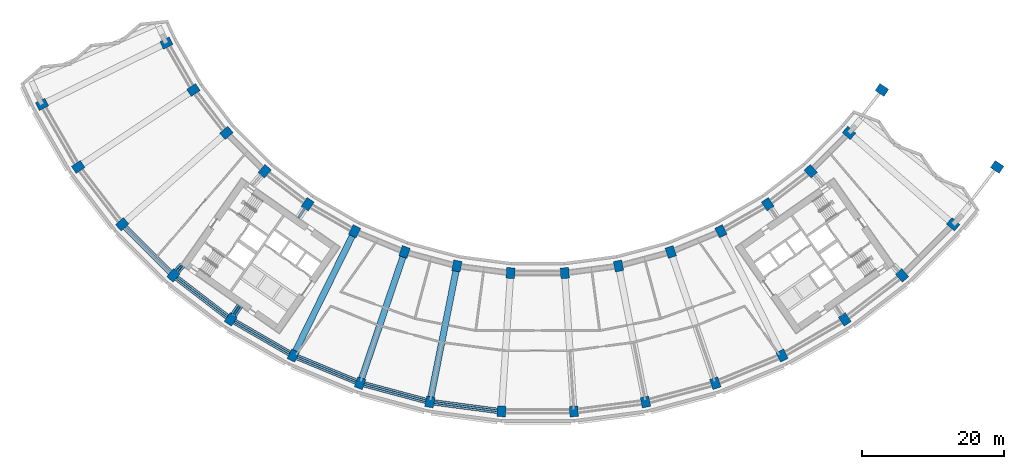
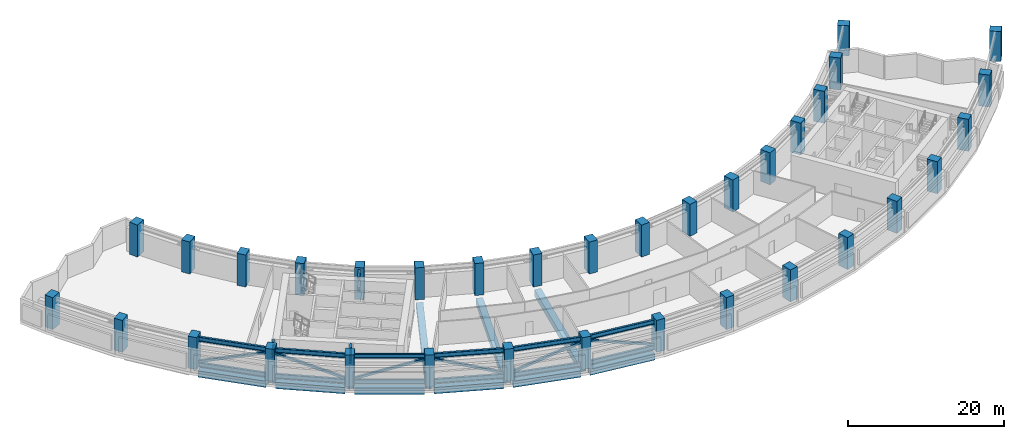
# One storey, part 1 of 25: 34 columns, 26 members, 11 beams.
"""IFC4 building model written with IfcOpenShell, lengths in metres."""

from ifc_helpers import new_model, si_unit, direction, frame, origin, origin_2d, place, context, subcontext, project, spatial, rectangle, hollow_rectangle, hollow_circle, i_section, extrude, material, material_profile, profile_set, type_object, element, save


model = new_model("IFC4")

# Units and contexts
model_context = context("Model", 3, precision=1e-05, world=origin(), true_north=direction((0.0, 1.0)))
body_context = subcontext(model_context, "Body", "Model", "MODEL_VIEW")
ifc_project = project(units=[si_unit("LENGTHUNIT", "METRE"), si_unit("AREAUNIT", "SQUARE_METRE"), si_unit("VOLUMEUNIT", "CUBIC_METRE"), si_unit("PLANEANGLEUNIT", "RADIAN"), si_unit("MASSUNIT", "GRAM", prefix="KILO")], contexts=[model_context])

# Site, building, storey
site_placement = place(None, origin())
site = spatial("IfcSite", under=ifc_project, at=site_placement, CompositionType="ELEMENT")
building_placement = place(site_placement, origin())
building = spatial("IfcBuilding", under=site, at=building_placement, Name="Qamariyya Broadcast Tower", CompositionType="ELEMENT")
storey_placement = place(building_placement, frame((0.0, 0.0, 144.300048828125)))
storey = spatial("IfcBuildingStorey", under=building, at=storey_placement, Name="L33", CompositionType="ELEMENT", Elevation=144.300048828125)

# Columns
ifc_material_1 = material(Name="Concrete C70/85", Category="concrete")
ifc_material_profile_1 = material_profile(ifc_material_1, rectangle(XDim=1.199951171875, YDim=1.5, at=origin_2d()))
ifc_profile_set_1 = profile_set([ifc_material_profile_1], Name="Concrete C70/85")
column_type_1 = type_object("IfcColumnType", Name="RC column 1200 x 1500 C70/85", PredefinedType="COLUMN", material=ifc_profile_set_1)
for number, where, z_axis, x_axis, name in (
    (1, (-52.242919921875, -25.763427734375, 0.0), (0.0, 0.0, 1.0), (0.442288690219, -0.896872741533, 0.0), "Column C7 L33 B-R02"),
    (2, (-69.73193359375, -34.387939453125, 0.0), (0.0, 0.0, 1.0), (0.442288690219, -0.896872741533, 0.0), "Column C7 L33 C-R02"),
    (3, (-48.43310546875, -32.362060546875, 0.0), (0.0, 0.0, 1.0), (0.55557023302, -0.831469612303, 0.0), "Column C7 L33 B-R03"),
    (4, (-64.646728515625, -43.195556640625, 0.0), (0.0, 0.0, 1.0), (0.55557023302, -0.831469612303, 0.0), "Column C7 L33 C-R03"),
    (5, (-43.794677734375, -38.406982421875, 0.0), (0.0, 0.0, 1.0), (0.6593458151, -0.751839807479, 0.0), "Column C7 L33 B-R04"),
    (6, (-58.45556640625, -51.26416015625, 0.0), (0.0, 0.0, 1.0), (0.6593458151, -0.751839807479, 0.0), "Column C7 L33 C-R04"),
    (7, (-38.406982421875, -43.794677734375, 0.0), (0.0, 0.0, 1.0), (0.751839807479, -0.6593458151, 0.0), "Column C7 L33 B-R05"),
    (8, (-51.26416015625, -58.45556640625, 0.0), (0.0, 0.0, 1.0), (0.751839807479, -0.6593458151, 0.0), "Column C7 L33 C-R05"),
    (9, (-32.362060546875, -48.43310546875, 0.0), (0.0, 0.0, 1.0), (0.831469612303, -0.55557023302, 0.0), "Column C7 L33 B-R06"),
    (10, (-43.195556640625, -64.646728515625, 0.0), (0.0, 0.0, 1.0), (0.831469612303, -0.55557023302, 0.0), "Column C7 L33 C-R06"),
    (11, (-25.763427734375, -52.242919921875, 0.0), (0.0, 0.0, 1.0), (0.896872741533, -0.442288690219, 0.0), "Column C7 L33 B-R07"),
    (12, (-34.387939453125, -69.73193359375, 0.0), (0.0, 0.0, 1.0), (0.896872741533, -0.442288690219, 0.0), "Column C7 L33 C-R07"),
    (13, (-18.723876953125, -55.15869140625, 0.0), (0.0, 0.0, 1.0), (0.946930129495, -0.321439465303, 0.0), "Column C7 L33 B-R08"),
    (14, (-24.991943359375, -73.623779296875, 0.0), (0.0, 0.0, 1.0), (0.946930129495, -0.321439465303, 0.0), "Column C7 L33 C-R08"),
    (15, (-11.364013671875, -57.130859375, 0.0), (0.0, 0.0, 1.0), (0.980785280403, -0.195090322016, 0.0), "Column C7 L33 B-R09"),
    (16, (-15.168212890625, -76.256103515625, 0.0), (0.0, 0.0, 1.0), (0.980785280403, -0.195090322016, 0.0), "Column C7 L33 C-R09"),
    (17, (-3.809814453125, -58.125244140625, 0.0), (0.0, 0.0, 1.0), (0.997858923239, -0.06540312923, 0.0), "Column C7 L33 B-R10"),
    (18, (-5.085205078125, -77.58349609375, 0.0), (0.0, 0.0, 1.0), (0.997858923239, -0.06540312923, 0.0), "Column C7 L33 C-R10"),
    (19, (3.809814453125, -58.125244140625, 0.0), (0.0, 0.0, 1.0), (0.997858923239, 0.06540312923, 0.0), "Column C7 L33 B-R11"),
    (20, (5.085205078125, -77.58349609375, 0.0), (0.0, 0.0, 1.0), (0.997858923239, 0.06540312923, 0.0), "Column C7 L33 C-R11"),
    (21, (11.364013671875, -57.130859375, 0.0), (0.0, 0.0, 1.0), (0.980785280403, 0.195090322016, 0.0), "Column C7 L33 B-R12"),
    (22, (15.168212890625, -76.256103515625, 0.0), (0.0, 0.0, 1.0), (0.980785280403, 0.195090322016, 0.0), "Column C7 L33 C-R12"),
    (23, (18.723876953125, -55.15869140625, 0.0), (0.0, 0.0, 1.0), (0.946930129495, 0.321439465303, 0.0), "Column C7 L33 B-R13"),
    (24, (24.991943359375, -73.623779296875, 0.0), (0.0, 0.0, 1.0), (0.946930129495, 0.321439465303, 0.0), "Column C7 L33 C-R13"),
    (25, (25.763427734375, -52.242919921875, 0.0), (0.0, 0.0, 1.0), (0.896872741533, 0.442288690219, 0.0), "Column C7 L33 B-R14"),
    (26, (34.387939453125, -69.73193359375, 0.0), (0.0, 0.0, 1.0), (0.896872741533, 0.442288690219, 0.0), "Column C7 L33 C-R14"),
    (27, (32.362060546875, -48.43310546875, 0.0), (0.0, 0.0, 1.0), (0.831469612303, 0.55557023302, 0.0), "Column C7 L33 B-R15"),
    (28, (43.195556640625, -64.646728515625, 0.0), (0.0, 0.0, 1.0), (0.831469612303, 0.55557023302, 0.0), "Column C7 L33 C-R15"),
    (29, (38.406982421875, -43.794677734375, 0.0), (0.0, 0.0, 1.0), (0.751839807479, 0.6593458151, 0.0), "Column C7 L33 B-R16"),
    (30, (51.26416015625, -58.45556640625, 0.0), (0.0, 0.0, 1.0), (0.751839807479, 0.6593458151, 0.0), "Column C7 L33 C-R16"),
    (31, (43.794677734375, -38.406982421875, 0.0), (0.0, 0.0, 1.0), (0.6593458151, 0.751839807479, 0.0), "Column C7 L33 B-R17"),
    (32, (58.45556640625, -51.26416015625, 0.0), (0.0, 0.0, 1.0), (0.6593458151, 0.751839807479, 0.0), "Column C7 L33 C-R17"),
):
    element("IfcColumn", number, at=place(storey_placement, frame(where, z_axis=z_axis, x_axis=x_axis)), inside=storey, type_object=column_type_1, Name=name, PredefinedType="COLUMN", context=body_context, shape_type="SweptSolid", body=[
        extrude(rectangle(XDim=1.199951171875, YDim=1.5, at=origin_2d()), origin(), (0.0, 0.0, 1.0), 5.0),
    ])
ifc_material_profile_2 = material_profile(ifc_material_1, rectangle(XDim=1.199951171875, YDim=1.5, at=origin_2d()))
ifc_profile_set_2 = profile_set([ifc_material_profile_2], Name="Concrete C70/85")
column_type_2 = type_object("IfcColumnType", Name="RC column 1200 x 1500 C70/85 to slab soffit", PredefinedType="COLUMN", material=ifc_profile_set_2)
for number, where, z_axis, x_axis, name in (
    (33, (48.43310546875, -32.362060546875, 0.0), (0.0, 0.0, 1.0), (0.55557023302, 0.831469612303, 0.0), "Column C17 L33 B-R18"),
    (34, (64.646728515625, -43.195556640625, 0.0), (0.0, 0.0, 1.0), (0.55557023302, 0.831469612303, 0.0), "Column C17 L33 C-R18"),
):
    element("IfcColumn", number, at=place(storey_placement, frame(where, z_axis=z_axis, x_axis=x_axis)), inside=storey, type_object=column_type_2, Name=name, PredefinedType="COLUMN", context=body_context, shape_type="SweptSolid", body=[
        extrude(rectangle(XDim=1.199951171875, YDim=1.5, at=origin_2d()), origin(), (0.0, 0.0, 1.0), 4.699951171875),
    ])

# Members
ifc_material_2 = material(Name="Steel S355", Category="steel")
ifc_material_profile_3 = material_profile(ifc_material_2, i_section(OverallWidth=0.300048828125, OverallDepth=0.699951171875, WebThickness=0.01708984375, FlangeThickness=0.031982421875, FilletRadius=0.027099609375, at=origin_2d()))
ifc_profile_set_3 = profile_set([ifc_material_profile_3], Name="Steel S355")
member_type_1 = type_object("IfcMemberType", Name="Belt truss bottom chord HEB 700", PredefinedType="CHORD", material=ifc_profile_set_3)
member_1_placement = place(storey_placement, frame((-58.0302734375, -51.689208984375, 0.349853515625), z_axis=(0.707106781187, -0.707106781187, 0.0), x_axis=(0.707106781187, 0.707106781187, 0.0)))
element("IfcMember", 35, at=member_1_placement, inside=storey, type_object=member_type_1, Name="Belt truss bottom chord T12 L33 C-R04", PredefinedType="CHORD", context=body_context, shape_type="SweptSolid", body=[
    extrude(i_section(OverallWidth=0.300048828125, OverallDepth=0.699951171875, WebThickness=0.01708984375, FlangeThickness=0.031982421875, FilletRadius=0.027099609375, at=origin_2d()), origin(), (0.0, 0.0, 1.0), 8.967529296875),
])
member_2_placement = place(storey_placement, frame((-50.787109375, -58.821533203125, 0.349853515625), z_axis=(0.793349076984, -0.608766985019, 0.0), x_axis=(0.608766985019, 0.793349076984, 0.0)))
element("IfcMember", 36, at=member_2_placement, inside=storey, type_object=member_type_1, Name="Belt truss bottom chord T12 L33 C-R05", PredefinedType="CHORD", context=body_context, shape_type="SweptSolid", body=[
    extrude(i_section(OverallWidth=0.300048828125, OverallDepth=0.699951171875, WebThickness=0.01708984375, FlangeThickness=0.031982421875, FilletRadius=0.027099609375, at=origin_2d()), origin(), (0.0, 0.0, 1.0), 8.9677734375),
])
member_3_placement = place(storey_placement, frame((-42.6748046875, -64.947509765625, 0.349853515625), z_axis=(0.866031440343, -0.499989544228, 0.0), x_axis=(0.499989544228, 0.866031440343, 0.0)))
element("IfcMember", 37, at=member_3_placement, inside=storey, type_object=member_type_1, Name="Belt truss bottom chord T12 L33 C-R06", PredefinedType="CHORD", context=body_context, shape_type="SweptSolid", body=[
    extrude(i_section(OverallWidth=0.300048828125, OverallDepth=0.699951171875, WebThickness=0.01708984375, FlangeThickness=0.031982421875, FilletRadius=0.027099609375, at=origin_2d()), origin(), (0.0, 0.0, 1.0), 8.967529296875),
])
member_4_placement = place(storey_placement, frame((-33.83251953125, -69.9619140625, 0.349853515625), z_axis=(0.923877140182, -0.382689207907, 0.0), x_axis=(0.382689207907, 0.923877140182, 0.0)))
element("IfcMember", 38, at=member_4_placement, inside=storey, type_object=member_type_1, Name="Belt truss bottom chord T12 L33 C-R07", PredefinedType="CHORD", context=body_context, shape_type="SweptSolid", body=[
    extrude(i_section(OverallWidth=0.300048828125, OverallDepth=0.699951171875, WebThickness=0.01708984375, FlangeThickness=0.031982421875, FilletRadius=0.027099609375, at=origin_2d()), origin(), (0.0, 0.0, 1.0), 8.9677734375),
])
for number, where, z_axis, x_axis, name in (
    (39, (-24.4111328125, -73.779541015625, 0.349853515625), (0.965931525183, -0.258797775603, 0.0), (0.258797775603, 0.965931525183, 0.0), "Belt truss bottom chord T12 L33 C-R08"),
    (40, (-14.572021484375, -76.33447265625, 0.349853515625), (0.991442708618, -0.130542542983, 0.0), (0.130542542983, 0.991442708618, 0.0), "Belt truss bottom chord T12 L33 C-R09"),
):
    element("IfcMember", number, at=place(storey_placement, frame(where, z_axis=z_axis, x_axis=x_axis)), inside=storey, type_object=member_type_1, Name=name, PredefinedType="CHORD", context=body_context, shape_type="SweptSolid", body=[
        extrude(i_section(OverallWidth=0.300048828125, OverallDepth=0.699951171875, WebThickness=0.01708984375, FlangeThickness=0.031982421875, FilletRadius=0.027099609375, at=origin_2d()), origin(), (0.0, 0.0, 1.0), 8.967529296875),
    ])
ifc_material_profile_4 = material_profile(ifc_material_2, hollow_rectangle(XDim=0.35009765625, YDim=0.35009765625, WallThickness=0.01416015625, InnerFilletRadius=0.01416015625, OuterFilletRadius=0.0283203125, at=origin_2d()))
ifc_profile_set_4 = profile_set([ifc_material_profile_4], Name="Steel S355")
member_type_2 = type_object("IfcMemberType", Name="Belt truss diagonal RHS 350x350x14.2", PredefinedType="BRACE", material=ifc_profile_set_4)
for number, where, z_axis, x_axis, name in (
    (41, (-57.989501953125, -51.72998046875, 0.865966796875), (0.670427415625, -0.670427415625, 0.317890170902), (0.707106781187, 0.707106781187, 0.0), "Belt truss diagonal T13 L33 C-R04"),
    (42, (-50.741455078125, -58.856689453125, 3.833984375), (0.752210121091, -0.577172941316, -0.317885717736), (0.608749356789, 0.793362603486, 0.0), "Belt truss diagonal T13 L33 C-R05"),
    (43, (-42.625, -64.976318359375, 0.865966796875), (0.821114265054, -0.474045618469, 0.317886953705), (0.49998028459, 0.866036786182, 0.0), "Belt truss diagonal T13 L33 C-R06"),
    (44, (-33.779296875, -69.984130859375, 3.833984375), (0.875967952114, -0.362807621958, -0.317884847577), (0.382656259044, 0.923890787601, 0.0), "Belt truss diagonal T13 L33 C-R07"),
    (45, (-24.35546875, -73.79443359375, 0.865966796875), (0.915825969819, -0.245377766697, 0.317887628914), (0.258802254758, 0.965930325092, 0.0), "Belt truss diagonal T13 L33 C-R08"),
    (46, (-14.514892578125, -76.342041015625, 3.833984375), (0.940015972806, -0.123761317402, -0.317888513767), (0.130532274578, 0.991444060597, 0.0), "Belt truss diagonal T13 L33 C-R09"),
):
    element("IfcMember", number, at=place(storey_placement, frame(where, z_axis=z_axis, x_axis=x_axis)), inside=storey, type_object=member_type_2, Name=name, PredefinedType="BRACE", context=body_context, shape_type="SweptSolid", body=[
        extrude(hollow_rectangle(XDim=0.35009765625, YDim=0.35009765625, WallThickness=0.01416015625, InnerFilletRadius=0.01416015625, OuterFilletRadius=0.0283203125, at=origin_2d()), origin(), (0.0, 0.0, 1.0), 9.336669921875),
    ])
ifc_material_profile_5 = material_profile(ifc_material_2, i_section(OverallWidth=0.300048828125, OverallDepth=0.699951171875, WebThickness=0.01708984375, FlangeThickness=0.031982421875, FilletRadius=0.027099609375, at=origin_2d()))
ifc_profile_set_5 = profile_set([ifc_material_profile_5], Name="Steel S355")
member_type_3 = type_object("IfcMemberType", Name="Belt truss top chord HEB 700", PredefinedType="CHORD", material=ifc_profile_set_5)
member_5_placement = place(storey_placement, frame((-58.0302734375, -51.689208984375, 4.349853515625), z_axis=(0.707106781187, -0.707106781187, 0.0), x_axis=(0.707106781187, 0.707106781187, 0.0)))
element("IfcMember", 47, at=member_5_placement, inside=storey, type_object=member_type_3, Name="Belt truss top chord T11 L33 C-R04", PredefinedType="CHORD", context=body_context, shape_type="SweptSolid", body=[
    extrude(i_section(OverallWidth=0.300048828125, OverallDepth=0.699951171875, WebThickness=0.01708984375, FlangeThickness=0.031982421875, FilletRadius=0.027099609375, at=origin_2d()), origin(), (0.0, 0.0, 1.0), 8.967529296875),
])
member_6_placement = place(storey_placement, frame((-50.787109375, -58.821533203125, 4.349853515625), z_axis=(0.793349076984, -0.608766985019, 0.0), x_axis=(0.608766985019, 0.793349076984, 0.0)))
element("IfcMember", 48, at=member_6_placement, inside=storey, type_object=member_type_3, Name="Belt truss top chord T11 L33 C-R05", PredefinedType="CHORD", context=body_context, shape_type="SweptSolid", body=[
    extrude(i_section(OverallWidth=0.300048828125, OverallDepth=0.699951171875, WebThickness=0.01708984375, FlangeThickness=0.031982421875, FilletRadius=0.027099609375, at=origin_2d()), origin(), (0.0, 0.0, 1.0), 8.9677734375),
])
member_7_placement = place(storey_placement, frame((-42.6748046875, -64.947509765625, 4.349853515625), z_axis=(0.866031440343, -0.499989544228, 0.0), x_axis=(0.499989544228, 0.866031440343, 0.0)))
element("IfcMember", 49, at=member_7_placement, inside=storey, type_object=member_type_3, Name="Belt truss top chord T11 L33 C-R06", PredefinedType="CHORD", context=body_context, shape_type="SweptSolid", body=[
    extrude(i_section(OverallWidth=0.300048828125, OverallDepth=0.699951171875, WebThickness=0.01708984375, FlangeThickness=0.031982421875, FilletRadius=0.027099609375, at=origin_2d()), origin(), (0.0, 0.0, 1.0), 8.967529296875),
])
member_8_placement = place(storey_placement, frame((-33.83251953125, -69.9619140625, 4.349853515625), z_axis=(0.923877140182, -0.382689207907, 0.0), x_axis=(0.382689207907, 0.923877140182, 0.0)))
element("IfcMember", 50, at=member_8_placement, inside=storey, type_object=member_type_3, Name="Belt truss top chord T11 L33 C-R07", PredefinedType="CHORD", context=body_context, shape_type="SweptSolid", body=[
    extrude(i_section(OverallWidth=0.300048828125, OverallDepth=0.699951171875, WebThickness=0.01708984375, FlangeThickness=0.031982421875, FilletRadius=0.027099609375, at=origin_2d()), origin(), (0.0, 0.0, 1.0), 8.9677734375),
])
for number, where, z_axis, x_axis, name in (
    (51, (-24.4111328125, -73.779541015625, 4.349853515625), (0.965931525183, -0.258797775603, 0.0), (0.258797775603, 0.965931525183, 0.0), "Belt truss top chord T11 L33 C-R08"),
    (52, (-14.572021484375, -76.33447265625, 4.349853515625), (0.991442708618, -0.130542542983, 0.0), (0.130542542983, 0.991442708618, 0.0), "Belt truss top chord T11 L33 C-R09"),
):
    element("IfcMember", number, at=place(storey_placement, frame(where, z_axis=z_axis, x_axis=x_axis)), inside=storey, type_object=member_type_3, Name=name, PredefinedType="CHORD", context=body_context, shape_type="SweptSolid", body=[
        extrude(i_section(OverallWidth=0.300048828125, OverallDepth=0.699951171875, WebThickness=0.01708984375, FlangeThickness=0.031982421875, FilletRadius=0.027099609375, at=origin_2d()), origin(), (0.0, 0.0, 1.0), 8.967529296875),
    ])
ifc_material_profile_6 = material_profile(ifc_material_2, i_section(OverallWidth=0.300048828125, OverallDepth=0.489990234375, WebThickness=0.011962890625, FlangeThickness=0.02294921875, FilletRadius=0.027099609375, at=origin_2d()))
ifc_profile_set_6 = profile_set([ifc_material_profile_6], Name="Steel S355")
member_type_4 = type_object("IfcMemberType", Name="Outrigger truss bottom chord HEA 500", PredefinedType="CHORD", material=ifc_profile_set_6)
member_9_placement = place(storey_placement, frame((-50.04150390625, -57.0615234375, 2.744873046875), z_axis=(-0.659317250818, -0.751864856722, 0.0), x_axis=(0.751864856722, -0.659317250818, 0.0)))
element("IfcMember", 53, at=member_9_placement, inside=storey, type_object=member_type_4, Name="Outrigger truss bottom chord T9 L33 R05", PredefinedType="CHORD", context=body_context, shape_type="SweptSolid", body=[
    extrude(i_section(OverallWidth=0.300048828125, OverallDepth=0.489990234375, WebThickness=0.011962890625, FlangeThickness=0.02294921875, FilletRadius=0.027099609375, at=origin_2d()), origin(), (0.0, 0.0, 1.0), 1.084228515625),
])
member_10_placement = place(storey_placement, frame((-32.789794921875, -49.0732421875, 2.744873046875), z_axis=(-0.555572556264, -0.831468059956, 0.0), x_axis=(0.831468059956, -0.555572556264, 0.0)))
element("IfcMember", 54, at=member_10_placement, inside=storey, type_object=member_type_4, Name="Outrigger truss bottom chord T9 L33 R06", PredefinedType="CHORD", context=body_context, shape_type="SweptSolid", body=[
    extrude(i_section(OverallWidth=0.300048828125, OverallDepth=0.489990234375, WebThickness=0.011962890625, FlangeThickness=0.02294921875, FilletRadius=0.027099609375, at=origin_2d()), origin(), (0.0, 0.0, 1.0), 1.549560546875),
])
member_11_placement = place(storey_placement, frame((-41.925048828125, -62.7451171875, 2.744873046875), z_axis=(-0.555516938303, -0.831505220223, 0.0), x_axis=(0.831505220223, -0.555516938303, 0.0)))
element("IfcMember", 55, at=member_11_placement, inside=storey, type_object=member_type_4, Name="Outrigger truss bottom chord T9 L33 R06", PredefinedType="CHORD", context=body_context, shape_type="SweptSolid", body=[
    extrude(i_section(OverallWidth=0.300048828125, OverallDepth=0.489990234375, WebThickness=0.011962890625, FlangeThickness=0.02294921875, FilletRadius=0.027099609375, at=origin_2d()), origin(), (0.0, 0.0, 1.0), 1.51708984375),
])
ifc_material_profile_7 = material_profile(ifc_material_2, hollow_circle(Radius=0.161865234375, WallThickness=0.012451171875, at=origin_2d()))
ifc_profile_set_7 = profile_set([ifc_material_profile_7], Name="Steel S355")
member_type_5 = type_object("IfcMemberType", Name="Outrigger truss diagonal CHS 323.9x12.5", PredefinedType="BRACE", material=ifc_profile_set_7)
member_12_placement = place(storey_placement, frame((-50.12548828125, -57.1572265625, 4.107421875), z_axis=(-0.417246067759, -0.475735025472, -0.774326742712), x_axis=(0.751810313566, -0.659379444945, 0.0)))
element("IfcMember", 56, at=member_12_placement, inside=storey, type_object=member_type_5, Name="Outrigger truss diagonal T17 L33 R05", PredefinedType="BRACE", context=body_context, shape_type="SweptSolid", body=[
    extrude(hollow_circle(Radius=0.161865234375, WallThickness=0.012451171875, at=origin_2d()), origin(), (0.0, 0.0, 1.0), 1.310791015625),
])
member_13_placement = place(storey_placement, frame((-41.978759765625, -62.82568359375, 4.078857421875), z_axis=(-0.450009392603, -0.673594265182, -0.586312470004), x_axis=(0.83151061345, -0.555508865564, 0.0)))
element("IfcMember", 57, at=member_13_placement, inside=storey, type_object=member_type_5, Name="Outrigger truss diagonal T17 L33 R06", PredefinedType="BRACE", context=body_context, shape_type="SweptSolid", body=[
    extrude(hollow_circle(Radius=0.161865234375, WallThickness=0.012451171875, at=origin_2d()), origin(), (0.0, 0.0, 1.0), 1.633544921875),
])
ifc_material_profile_8 = material_profile(ifc_material_2, i_section(OverallWidth=0.300048828125, OverallDepth=0.489990234375, WebThickness=0.011962890625, FlangeThickness=0.02294921875, FilletRadius=0.027099609375, at=origin_2d()))
ifc_profile_set_8 = profile_set([ifc_material_profile_8], Name="Steel S355")
member_type_6 = type_object("IfcMemberType", Name="Outrigger truss top chord HEA 500", PredefinedType="CHORD", material=ifc_profile_set_8)
member_14_placement = place(storey_placement, frame((-50.04150390625, -57.0615234375, 4.454833984375), z_axis=(-0.659317250818, -0.751864856722, 0.0), x_axis=(0.751864856722, -0.659317250818, 0.0)))
element("IfcMember", 58, at=member_14_placement, inside=storey, type_object=member_type_6, Name="Outrigger truss top chord T8 L33 R05", PredefinedType="CHORD", context=body_context, shape_type="SweptSolid", body=[
    extrude(i_section(OverallWidth=0.300048828125, OverallDepth=0.489990234375, WebThickness=0.011962890625, FlangeThickness=0.02294921875, FilletRadius=0.027099609375, at=origin_2d()), origin(), (0.0, 0.0, 1.0), 1.084228515625),
])
member_15_placement = place(storey_placement, frame((-32.789794921875, -49.0732421875, 4.454833984375), z_axis=(-0.555572556264, -0.831468059956, 0.0), x_axis=(0.831468059956, -0.555572556264, 0.0)))
element("IfcMember", 59, at=member_15_placement, inside=storey, type_object=member_type_6, Name="Outrigger truss top chord T8 L33 R06", PredefinedType="CHORD", context=body_context, shape_type="SweptSolid", body=[
    extrude(i_section(OverallWidth=0.300048828125, OverallDepth=0.489990234375, WebThickness=0.011962890625, FlangeThickness=0.02294921875, FilletRadius=0.027099609375, at=origin_2d()), origin(), (0.0, 0.0, 1.0), 1.549560546875),
])
member_16_placement = place(storey_placement, frame((-41.925048828125, -62.7451171875, 4.454833984375), z_axis=(-0.555516938303, -0.831505220223, 0.0), x_axis=(0.831505220223, -0.555516938303, 0.0)))
element("IfcMember", 60, at=member_16_placement, inside=storey, type_object=member_type_6, Name="Outrigger truss top chord T8 L33 R06", PredefinedType="CHORD", context=body_context, shape_type="SweptSolid", body=[
    extrude(i_section(OverallWidth=0.300048828125, OverallDepth=0.489990234375, WebThickness=0.011962890625, FlangeThickness=0.02294921875, FilletRadius=0.027099609375, at=origin_2d()), origin(), (0.0, 0.0, 1.0), 1.51708984375),
])

# Beams
ifc_material_3 = material(Name="Concrete C50/60", Category="concrete")
ifc_material_profile_9 = material_profile(ifc_material_3, rectangle(XDim=0.800048828125, YDim=1.0, at=origin_2d()))
ifc_profile_set_9 = profile_set([ifc_material_profile_9], Name="Concrete C50/60")
beam_type_1 = type_object("IfcBeamType", Name="RC edge beam 800 x 1000 C50/60", PredefinedType="SPANDREL", material=ifc_profile_set_9)
beam_1_placement = place(storey_placement, frame((-58.0302734375, -51.689208984375, -0.900146484375), z_axis=(0.707106781187, -0.707106781187, 0.0), x_axis=(0.707106781187, 0.707106781187, 0.0)))
element("IfcBeam", 61, at=beam_1_placement, inside=storey, type_object=beam_type_1, Name="Edge beam B10 L33 C R04-R05", PredefinedType="SPANDREL", context=body_context, shape_type="SweptSolid", body=[
    extrude(rectangle(XDim=0.800048828125, YDim=1.0, at=origin_2d()), origin(), (0.0, 0.0, 1.0), 8.967529296875),
])
beam_2_placement = place(storey_placement, frame((-50.787109375, -58.821533203125, -0.900146484375), z_axis=(0.793349076984, -0.608766985019, 0.0), x_axis=(0.608766985019, 0.793349076984, 0.0)))
element("IfcBeam", 62, at=beam_2_placement, inside=storey, type_object=beam_type_1, Name="Edge beam B10 L33 C R05-R06", PredefinedType="SPANDREL", context=body_context, shape_type="SweptSolid", body=[
    extrude(rectangle(XDim=0.800048828125, YDim=1.0, at=origin_2d()), origin(), (0.0, 0.0, 1.0), 8.9677734375),
])
beam_3_placement = place(storey_placement, frame((-42.6748046875, -64.947509765625, -0.900146484375), z_axis=(0.866031440343, -0.499989544228, 0.0), x_axis=(0.499989544228, 0.866031440343, 0.0)))
element("IfcBeam", 63, at=beam_3_placement, inside=storey, type_object=beam_type_1, Name="Edge beam B10 L33 C R06-R07", PredefinedType="SPANDREL", context=body_context, shape_type="SweptSolid", body=[
    extrude(rectangle(XDim=0.800048828125, YDim=1.0, at=origin_2d()), origin(), (0.0, 0.0, 1.0), 8.967529296875),
])
beam_4_placement = place(storey_placement, frame((-33.83251953125, -69.9619140625, -0.900146484375), z_axis=(0.923877140182, -0.382689207907, 0.0), x_axis=(0.382689207907, 0.923877140182, 0.0)))
element("IfcBeam", 64, at=beam_4_placement, inside=storey, type_object=beam_type_1, Name="Edge beam B10 L33 C R07-R08", PredefinedType="SPANDREL", context=body_context, shape_type="SweptSolid", body=[
    extrude(rectangle(XDim=0.800048828125, YDim=1.0, at=origin_2d()), origin(), (0.0, 0.0, 1.0), 8.9677734375),
])
for number, where, z_axis, x_axis, name in (
    (65, (-24.4111328125, -73.779541015625, -0.900146484375), (0.965931525183, -0.258797775603, 0.0), (0.258797775603, 0.965931525183, 0.0), "Edge beam B10 L33 C R08-R09"),
    (66, (-14.572021484375, -76.33447265625, -0.900146484375), (0.991442708618, -0.130542542983, 0.0), (0.130542542983, 0.991442708618, 0.0), "Edge beam B10 L33 C R09-R10"),
):
    element("IfcBeam", number, at=place(storey_placement, frame(where, z_axis=z_axis, x_axis=x_axis)), inside=storey, type_object=beam_type_1, Name=name, PredefinedType="SPANDREL", context=body_context, shape_type="SweptSolid", body=[
        extrude(rectangle(XDim=0.800048828125, YDim=1.0, at=origin_2d()), origin(), (0.0, 0.0, 1.0), 8.967529296875),
    ])
ifc_material_profile_10 = material_profile(ifc_material_3, rectangle(XDim=0.89990234375, YDim=1.0, at=origin_2d()))
ifc_profile_set_10 = profile_set([ifc_material_profile_10], Name="Concrete C50/60")
beam_type_2 = type_object("IfcBeamType", Name="RC radial beam 900 x 1000 C50/60", PredefinedType="BEAM", material=ifc_profile_set_10)
beam_5_placement = place(storey_placement, frame((-50.011962890625, -57.027587890625, -0.900146484375), z_axis=(-0.659271387296, -0.751905072395, 0.0), x_axis=(0.751905072395, -0.659271387296, 0.0)))
element("IfcBeam", 67, at=beam_5_placement, inside=storey, type_object=beam_type_2, Name="Radial beam B9 L33 R05 B-C", PredefinedType="BEAM", context=body_context, shape_type="SweptSolid", body=[
    extrude(rectangle(XDim=0.89990234375, YDim=1.0, at=origin_2d()), origin(), (0.0, 0.0, 1.0), 1.149169921875),
])
beam_6_placement = place(storey_placement, frame((-41.89990234375, -62.707763671875, -0.900146484375), z_axis=(-0.555554602959, -0.831480055762, 0.0), x_axis=(0.831480055762, -0.555554602959, 0.0)))
element("IfcBeam", 68, at=beam_6_placement, inside=storey, type_object=beam_type_2, Name="Radial beam B9 L33 R06 B-C", PredefinedType="BEAM", context=body_context, shape_type="SweptSolid", body=[
    extrude(rectangle(XDim=0.89990234375, YDim=1.0, at=origin_2d()), origin(), (0.0, 0.0, 1.0), 1.58203125),
])
beam_7_placement = place(storey_placement, frame((-26.094970703125, -52.91552734375, -0.900146484375), z_axis=(-0.442291437941, -0.896871386501, 0.0), x_axis=(0.896871386501, -0.442291437941, 0.0)))
element("IfcBeam", 69, at=beam_7_placement, inside=storey, type_object=beam_type_2, Name="Radial beam B9 L33 R07 B-C", PredefinedType="BEAM", context=body_context, shape_type="SweptSolid", body=[
    extrude(rectangle(XDim=0.89990234375, YDim=1.0, at=origin_2d()), origin(), (0.0, 0.0, 1.0), 17.999755859375),
])
beam_8_placement = place(storey_placement, frame((-18.96484375, -55.868896484375, -0.900146484375), z_axis=(-0.321439476461, -0.946930125707, 0.0), x_axis=(0.946930125707, -0.321439476461, 0.0)))
element("IfcBeam", 70, at=beam_8_placement, inside=storey, type_object=beam_type_2, Name="Radial beam B9 L33 R08 B-C", PredefinedType="BEAM", context=body_context, shape_type="SweptSolid", body=[
    extrude(rectangle(XDim=0.89990234375, YDim=1.0, at=origin_2d()), origin(), (0.0, 0.0, 1.0), 18.0),
])
beam_9_placement = place(storey_placement, frame((-11.51025390625, -57.8662109375, -0.900146484375), z_axis=(-0.195093569287, -0.980784634475, 0.0), x_axis=(0.980784634475, -0.195093569287, 0.0)))
element("IfcBeam", 71, at=beam_9_placement, inside=storey, type_object=beam_type_2, Name="Radial beam B9 L33 R09 B-C", PredefinedType="BEAM", context=body_context, shape_type="SweptSolid", body=[
    extrude(rectangle(XDim=0.89990234375, YDim=1.0, at=origin_2d()), origin(), (0.0, 0.0, 1.0), 18.000244140625),
])

save(model, "model.ifc")
